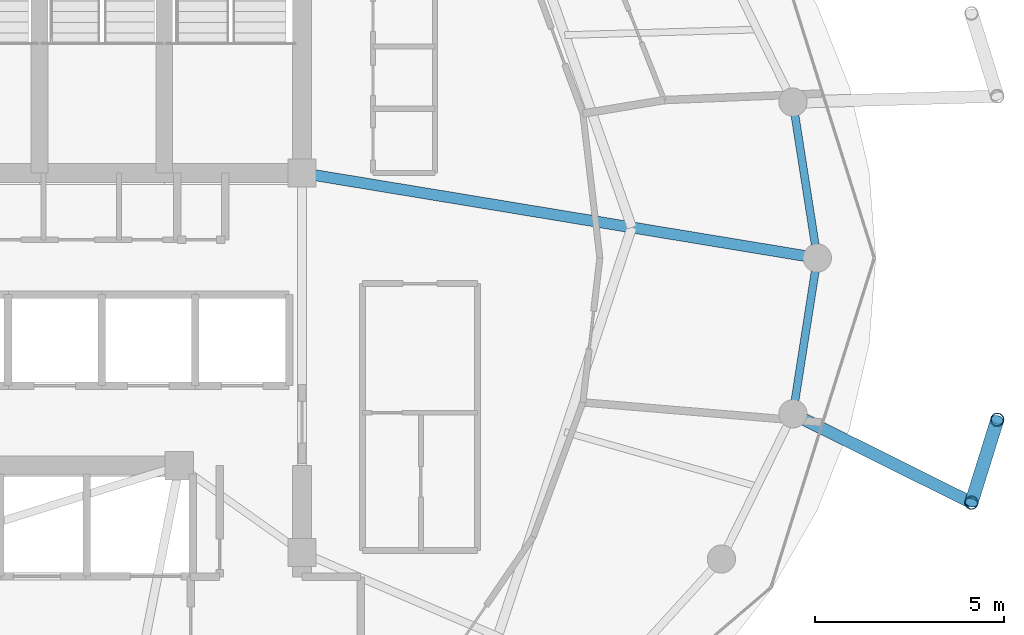
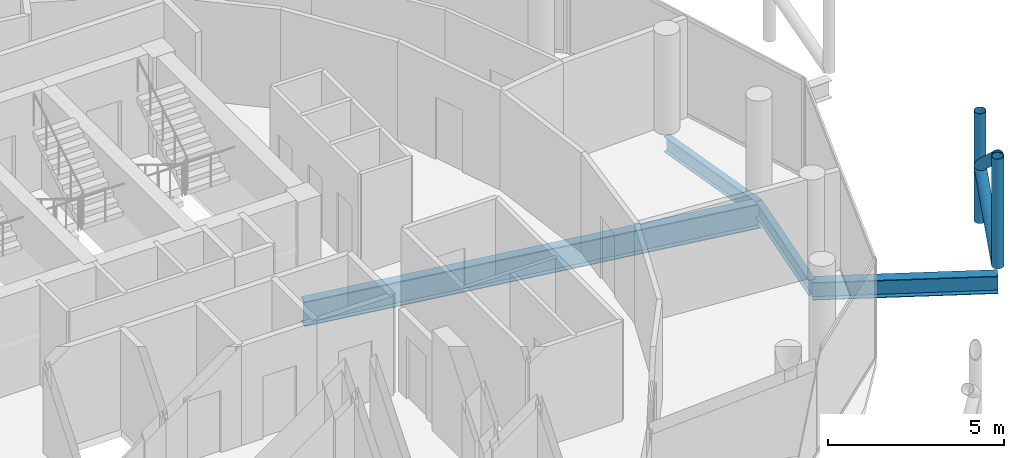
# One storey, part 11 of 24: 4 beams, 4 members.
"""IFC4 building model written with IfcOpenShell, lengths in metres."""

from ifc_helpers import new_model, si_unit, direction, frame, origin, origin_2d, place, context, subcontext, project, spatial, hollow_circle, i_section, extrude, material, material_profile, profile_set, type_object, element, save


model = new_model("IFC4")

# Units and contexts
model_context = context("Model", 3, precision=1e-05, world=origin(), true_north=direction((0.0, 1.0)))
body_context = subcontext(model_context, "Body", "Model", "MODEL_VIEW")
ifc_project = project(units=[si_unit("LENGTHUNIT", "METRE"), si_unit("AREAUNIT", "SQUARE_METRE"), si_unit("VOLUMEUNIT", "CUBIC_METRE"), si_unit("PLANEANGLEUNIT", "RADIAN"), si_unit("MASSUNIT", "GRAM", prefix="KILO")], contexts=[model_context])

# Site, building, storey
site_placement = place(None, origin())
site = spatial("IfcSite", under=ifc_project, at=site_placement, CompositionType="ELEMENT")
building_placement = place(site_placement, origin())
building = spatial("IfcBuilding", under=site, at=building_placement, Name="Nuhasar Tower", CompositionType="ELEMENT")
storey_placement = place(building_placement, frame((0.0, 0.0, 297.39990234375)))
storey = spatial("IfcBuildingStorey", under=building, at=storey_placement, Name="L74", CompositionType="ELEMENT", Elevation=297.39990234375)

# Beams
ifc_material_1 = material(Name="Steel S355", Category="steel")
ifc_material_profile_1 = material_profile(ifc_material_1, i_section(OverallWidth=0.2919921875, OverallDepth=0.85888671875, WebThickness=0.01708984375, FlangeThickness=0.031005859375, at=origin_2d()), Name="W33X169")
ifc_profile_set_1 = profile_set([ifc_material_profile_1], Name="Steel S355")
beam_type_1 = type_object("IfcBeamType", Name="BM-POD-W33X169", PredefinedType="BEAM", material=ifc_profile_set_1)
beam_1_placement = place(storey_placement, frame((44.300048828125, 29.050048828125, -0.68994140625), z_axis=(0.986685215874, -0.162641583786, 0.0), x_axis=(0.162641583786, 0.986685215874, 0.0)))
element("IfcBeam", 1, at=beam_1_placement, inside=storey, type_object=beam_type_1, Name="L74 Radial Floor Girder 04", PredefinedType="BEAM", context=body_context, shape_type="SweptSolid", body=[
    extrude(i_section(OverallWidth=0.2919921875, OverallDepth=0.85888671875, WebThickness=0.01708984375, FlangeThickness=0.031005859375, at=origin_2d()), origin(), (0.0, 0.0, 1.0), 13.833984375),
])
ifc_material_profile_2 = material_profile(ifc_material_1, i_section(OverallWidth=0.2099609375, OverallDepth=0.537109375, WebThickness=0.010986328125, FlangeThickness=0.017333984375, at=origin_2d()), Name="W21X68")
ifc_profile_set_2 = profile_set([ifc_material_profile_2], Name="Steel S355")
beam_type_2 = type_object("IfcBeamType", Name="BM-RING-W21X68", PredefinedType="SPANDREL", material=ifc_profile_set_2)
for number, where, z_axis, x_axis, name in (
    (2, (57.949951171875, 26.800048828125, -0.52880859375), (-0.154612165232, 0.987975241776, 0.0), (-0.987975241776, -0.154612165232, 0.0), "L74 Perimeter Ring Spandrel 01"),
    (3, (57.303955078125, 22.672119140625, -0.52880859375), (0.154612165232, 0.987975241776, 0.0), (-0.987975241776, 0.154612165232, 0.0), "L74 Perimeter Ring Spandrel 24"),
):
    element("IfcBeam", number, at=place(storey_placement, frame(where, z_axis=z_axis, x_axis=x_axis)), inside=storey, type_object=beam_type_2, Name=name, PredefinedType="SPANDREL", context=body_context, shape_type="SweptSolid", body=[
        extrude(i_section(OverallWidth=0.2099609375, OverallDepth=0.537109375, WebThickness=0.010986328125, FlangeThickness=0.017333984375, at=origin_2d()), origin(), (0.0, 0.0, 1.0), 4.17822265625),
    ])
ifc_material_profile_3 = material_profile(ifc_material_1, i_section(OverallWidth=0.323974609375, OverallDepth=0.611083984375, WebThickness=0.0126953125, FlangeThickness=0.01904296875, at=origin_2d()), Name="W24X104")
ifc_profile_set_3 = profile_set([ifc_material_profile_3], Name="Steel S355")
beam_type_3 = type_object("IfcBeamType", Name="BM-TIE-W24X104", PredefinedType="BEAM", material=ifc_profile_set_3)
beam_2_placement = place(storey_placement, frame((57.303955078125, 22.672119140625, -0.56591796875), z_axis=(0.895294451274, -0.445474853969, 0.0), x_axis=(0.445474853969, 0.895294451274, 0.0)))
element("IfcBeam", 4, at=beam_2_placement, inside=storey, type_object=beam_type_3, Name="L74 Exoskeleton Node Tie Beam 12", PredefinedType="BEAM", context=body_context, shape_type="SweptSolid", body=[
    extrude(i_section(OverallWidth=0.323974609375, OverallDepth=0.611083984375, WebThickness=0.0126953125, FlangeThickness=0.01904296875, at=origin_2d()), origin(), (0.0, 0.0, 1.0), 5.281982421875),
])

# Members
ifc_material_2 = material(Name="Steel S460", Category="steel")
ifc_material_profile_4 = material_profile(ifc_material_2, hollow_circle(Radius=0.177734375, WallThickness=0.015869140625, at=origin_2d()), Name="HSS355.6X15.9")
ifc_profile_set_4 = profile_set([ifc_material_profile_4], Name="Steel S460")
member_type = type_object("IfcMemberType", Name="EXO-BRONZE-356", PredefinedType="BRACE", material=ifc_profile_set_4)
for number, where, z_axis, x_axis, name in (
    (5, (62.032958984375, 20.319091796875, 0.0), (0.0, 0.0, 1.0), (1.0, 0.0, 0.0), "L74 Exoskeleton Chord Column EC-12A"),
    (6, (62.718017578125, 22.513916015625, 0.0), (0.0, 0.0, 1.0), (1.0, 0.0, 0.0), "L74 Exoskeleton Chord Column EC-12B"),
):
    element("IfcMember", number, at=place(storey_placement, frame(where, z_axis=z_axis, x_axis=x_axis)), inside=storey, type_object=member_type, Name=name, PredefinedType="BRACE", context=body_context, shape_type="SweptSolid", body=[
        extrude(hollow_circle(Radius=0.177734375, WallThickness=0.015869140625, at=origin_2d()), origin(), (0.0, 0.0, 1.0), 3.800048828125),
    ])
member_1_placement = place(storey_placement, frame((62.032958984375, 20.319091796875, 0.0), z_axis=(0.229669386127, 0.73582600901, 0.637033796232), x_axis=(-0.954581948223, 0.297948492404, 0.0)))
element("IfcMember", 7, at=member_1_placement, inside=storey, type_object=member_type, Name="L74 Bronze Diagrid Brace W1-12", PredefinedType="BRACE", context=body_context, shape_type="SweptSolid", body=[
    extrude(hollow_circle(Radius=0.177734375, WallThickness=0.015869140625, at=origin_2d()), origin(), (0.0, 0.0, 1.0), 2.98291015625),
])
member_2_placement = place(storey_placement, frame((62.718017578125, 22.513916015625, 1.900146484375), z_axis=(-0.229681361446, -0.735864376122, 0.636985158507), x_axis=(0.954581948223, -0.297948492404, 0.0)))
element("IfcMember", 8, at=member_2_placement, inside=storey, type_object=member_type, Name="L74 Bronze Diagrid Brace W2-12", PredefinedType="BRACE", context=body_context, shape_type="SweptSolid", body=[
    extrude(hollow_circle(Radius=0.177734375, WallThickness=0.015869140625, at=origin_2d()), origin(), (0.0, 0.0, 1.0), 2.982666015625),
])

save(model, "model.ifc")
